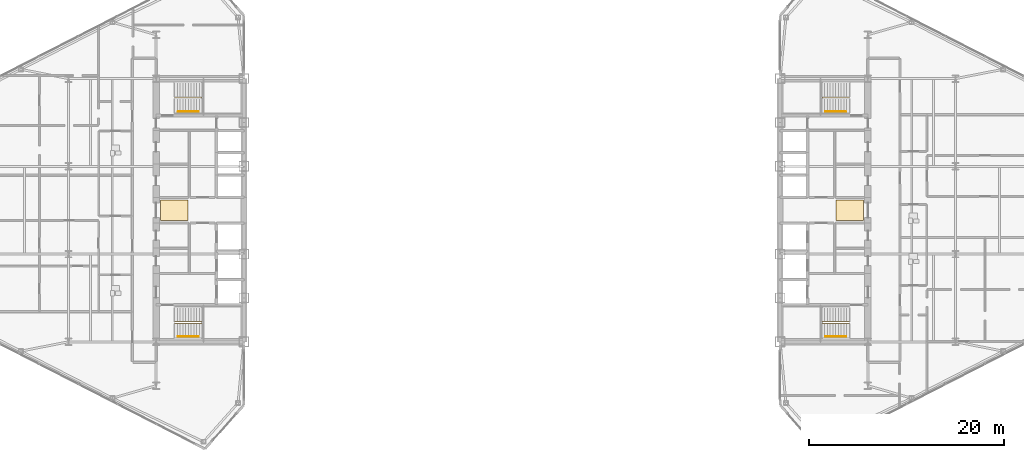
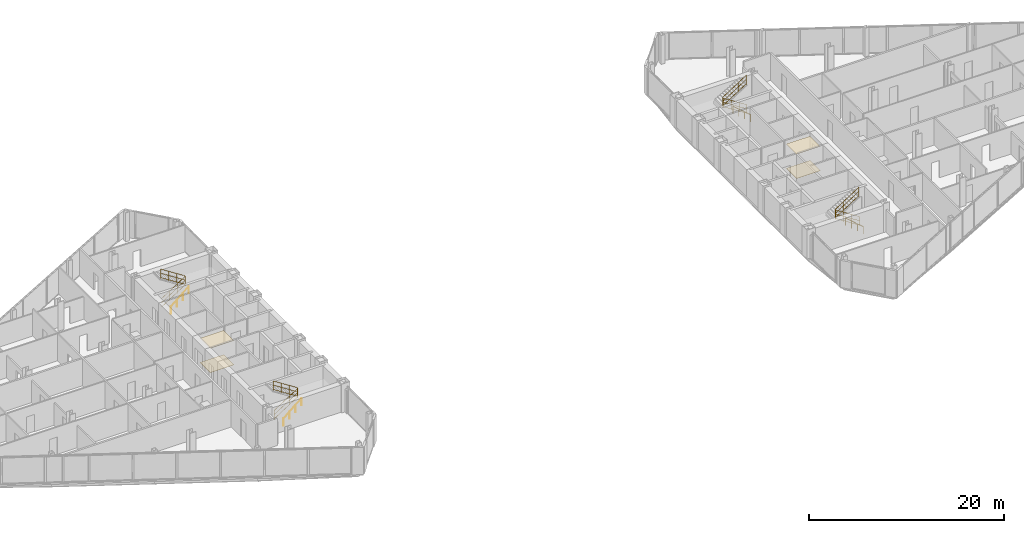
# One storey, part 23 of 24: 8 railings, 4 coverings.
"""IFC4 building model written with IfcOpenShell, lengths in metres."""

from ifc_helpers import new_model, si_unit, direction, frame, origin, origin_2d, place, context, subcontext, project, spatial, polyline, circle, outline, extrude, material, layer, layer_set, type_object, element, save


model = new_model("IFC4")

# Units and contexts
model_context = context("Model", 3, precision=1e-05, world=origin(), true_north=direction((0.0, 1.0)))
body_context = subcontext(model_context, "Body", "Model", "MODEL_VIEW")
ifc_project = project(units=[si_unit("LENGTHUNIT", "METRE"), si_unit("AREAUNIT", "SQUARE_METRE"), si_unit("VOLUMEUNIT", "CUBIC_METRE"), si_unit("PLANEANGLEUNIT", "RADIAN"), si_unit("MASSUNIT", "GRAM", prefix="KILO")], contexts=[model_context])

# Site, building, storey
site_placement = place(None, origin())
site = spatial("IfcSite", under=ifc_project, at=site_placement, CompositionType="ELEMENT")
building_placement = place(site_placement, origin())
building = spatial("IfcBuilding", under=site, at=building_placement, Name="Seokmaru Belvedere", CompositionType="ELEMENT")
storey_placement = place(building_placement, frame((0.0, 0.0, 117.60009765625)))
storey = spatial("IfcBuildingStorey", under=building, at=storey_placement, Name="L31", CompositionType="ELEMENT", Elevation=117.60009765625)

# Coverings
ifc_material_1 = material(Name="Engineered White Oak Timber", Category="wood")
ifc_layer_1 = layer(ifc_material_1, 0.02197265625)
ifc_layer_set_1 = layer_set([ifc_layer_1], Name="Engineered White Oak Timber")
covering_type_1 = type_object("IfcCoveringType", Name="Engineered Oak Residence Floor Finish 22", PredefinedType="FLOORING", material=ifc_layer_set_1)
covering_1_placement = place(storey_placement, origin())
element("IfcCovering", 1, at=covering_1_placement, inside=storey, type_object=covering_type_1, Name="L31 W Foyer Floor Finish", PredefinedType="FLOORING", context=body_context, shape_type="SweptSolid", body=[
    extrude(outline(polyline([(-36.050048828125, -1.050048828125), (-33.25, -1.050048828125), (-33.25, 1.050048828125), (-36.050048828125, 1.050048828125), (-36.050048828125, -1.050048828125)])), origin(), (0.0, 0.0, 1.0), 0.02197265625),
])
covering_2_placement = place(storey_placement, origin())
element("IfcCovering", 2, at=covering_2_placement, inside=storey, type_object=covering_type_1, Name="L31 E Foyer Floor Finish", PredefinedType="FLOORING", context=body_context, shape_type="SweptSolid", body=[
    extrude(outline(polyline([(33.25, -1.050048828125), (36.050048828125, -1.050048828125), (36.050048828125, 1.050048828125), (33.25, 1.050048828125), (33.25, -1.050048828125)])), origin(), (0.0, 0.0, 1.0), 0.02197265625),
])
ifc_material_2 = material(Name="Fire-Rated Gypsum Shaftwall")
ifc_layer_2 = layer(ifc_material_2, 0.02490234375)
ifc_layer_set_2 = layer_set([ifc_layer_2], Name="Fire-Rated Gypsum Shaftwall")
covering_type_2 = type_object("IfcCoveringType", Name="Perforated Acoustic Gypsum Suspended Ceiling 25", PredefinedType="CEILING", material=ifc_layer_set_2)
covering_3_placement = place(storey_placement, frame((0.0, 0.0, 3.02978515625)))
element("IfcCovering", 3, at=covering_3_placement, inside=storey, type_object=covering_type_2, Name="L31 W Lift Foyer Acoustic Ceiling", PredefinedType="CEILING", context=body_context, shape_type="SweptSolid", body=[
    extrude(outline(polyline([(-36.050048828125, -1.050048828125), (-33.25, -1.050048828125), (-33.25, 1.050048828125), (-36.050048828125, 1.050048828125), (-36.050048828125, -1.050048828125)])), origin(), (0.0, 0.0, 1.0), 0.025146484375),
])
covering_4_placement = place(storey_placement, frame((0.0, 0.0, 3.02978515625)))
element("IfcCovering", 4, at=covering_4_placement, inside=storey, type_object=covering_type_2, Name="L31 E Lift Foyer Acoustic Ceiling", PredefinedType="CEILING", context=body_context, shape_type="SweptSolid", body=[
    extrude(outline(polyline([(33.25, -1.050048828125), (36.050048828125, -1.050048828125), (36.050048828125, 1.050048828125), (33.25, 1.050048828125), (33.25, -1.050048828125)])), origin(), (0.0, 0.0, 1.0), 0.025146484375),
])

# Railings
ifc_material_3 = material(Name="Stainless Steel 316", Category="steel")
railing_type_1 = type_object("IfcRailingType", Name="Stainless Steel Wall and Flight Handrail 900", PredefinedType="HANDRAIL", material=ifc_material_3)
for number, where, name in (
    (5, (-34.25, -12.949951171875, 0.0), "L31 Stair ST-W1 Wall Handrail"),
    (6, (-34.25, 10.110107421875, 0.0), "L31 Stair ST-W2 Wall Handrail"),
):
    element("IfcRailing", number, at=place(storey_placement, frame(where)), inside=storey, type_object=railing_type_1, Name=name, PredefinedType="HANDRAIL", context=body_context, shape_type="SweptSolid", body=[
        extrude(circle(Radius=0.02392578125, at=origin_2d()), frame((0.0, 0.0, 0.8759765625), z_axis=(0.759306447245, 0.0, 0.650733216588), x_axis=(0.0, 1.0, 0.0)), (0.0, 0.0, 1.0), 2.765869140625),
        extrude(circle(Radius=0.02099609375, at=origin_2d()), origin(), (0.0, 0.0, 1.0), 0.851806640625),
        extrude(circle(Radius=0.02099609375, at=origin_2d()), frame((0.699951171875, 0.0, 0.599853515625)), (0.0, 0.0, 1.0), 0.851806640625),
        extrude(circle(Radius=0.02099609375, at=origin_2d()), frame((1.400146484375, 0.0, 1.199951171875)), (0.0, 0.0, 1.0), 0.851806640625),
        extrude(circle(Radius=0.02099609375, at=origin_2d()), frame((2.10009765625, 0.0, 1.7998046875)), (0.0, 0.0, 1.0), 0.851806640625),
    ])
for number, where, name in (
    (7, (34.25, -12.949951171875, 0.0), "L31 Stair ST-E1 Wall Handrail"),
    (8, (34.25, 10.110107421875, 0.0), "L31 Stair ST-E2 Wall Handrail"),
):
    element("IfcRailing", number, at=place(storey_placement, frame(where)), inside=storey, type_object=railing_type_1, Name=name, PredefinedType="HANDRAIL", context=body_context, shape_type="SweptSolid", body=[
        extrude(circle(Radius=0.02392578125, at=origin_2d()), frame((0.0, 0.0, 0.8759765625), z_axis=(-0.759306447245, 0.0, 0.650733216588), x_axis=(0.0, -1.0, 0.0)), (0.0, 0.0, 1.0), 2.765869140625),
        extrude(circle(Radius=0.02099609375, at=origin_2d()), origin(), (0.0, 0.0, 1.0), 0.851806640625),
        extrude(circle(Radius=0.02099609375, at=origin_2d()), frame((-0.699951171875, 0.0, 0.599853515625)), (0.0, 0.0, 1.0), 0.851806640625),
        extrude(circle(Radius=0.02099609375, at=origin_2d()), frame((-1.400146484375, 0.0, 1.199951171875)), (0.0, 0.0, 1.0), 0.851806640625),
        extrude(circle(Radius=0.02099609375, at=origin_2d()), frame((-2.10009765625, 0.0, 1.7998046875)), (0.0, 0.0, 1.0), 0.851806640625),
    ])
railing_type_2 = type_object("IfcRailingType", Name="Stair Well and Atrium Steel Guardrail 1200", PredefinedType="GUARDRAIL", material=ifc_material_3)
railing_1_placement = place(storey_placement, frame((-34.60009765625, -11.60009765625, 0.0)))
element("IfcRailing", 9, at=railing_1_placement, inside=storey, type_object=railing_type_2, Name="L31 Stair ST-W1 Inner Well Guardrail", PredefinedType="GUARDRAIL", context=body_context, shape_type="SweptSolid", body=[
    extrude(circle(Radius=0.02392578125, at=origin_2d()), frame((0.0, 0.0, 1.17578125), z_axis=(0.841209454229, 0.0, 0.540709398952), x_axis=(0.0, 1.0, 0.0)), (0.0, 0.0, 1.0), 3.32861328125),
    extrude(circle(Radius=0.02392578125, at=origin_2d()), frame((0.0, 0.0, 0.1201171875), z_axis=(0.841209454229, 0.0, 0.540709398952), x_axis=(0.0, 1.0, 0.0)), (0.0, 0.0, 1.0), 3.32861328125),
    extrude(circle(Radius=0.02392578125, at=origin_2d()), frame((0.0, 0.0, 0.659912109375), z_axis=(0.841209454229, 0.0, 0.540709398952), x_axis=(0.0, 1.0, 0.0)), (0.0, 0.0, 1.0), 3.32861328125),
    extrude(circle(Radius=0.02392578125, at=origin_2d()), frame((2.800048828125, 0.0, 2.9755859375), z_axis=(0.0, 1.0, 0.0), x_axis=(-1.0, 0.0, 0.0)), (0.0, 0.0, 1.0), 0.14013671875),
    extrude(circle(Radius=0.02392578125, at=origin_2d()), frame((2.800048828125, 0.0, 1.919921875), z_axis=(0.0, 1.0, 0.0), x_axis=(-1.0, 0.0, 0.0)), (0.0, 0.0, 1.0), 0.14013671875),
    extrude(circle(Radius=0.02392578125, at=origin_2d()), frame((2.800048828125, 0.0, 2.459716796875), z_axis=(0.0, 1.0, 0.0), x_axis=(-1.0, 0.0, 0.0)), (0.0, 0.0, 1.0), 0.14013671875),
    extrude(circle(Radius=0.02392578125, at=origin_2d()), frame((2.800048828125, 0.14013671875, 2.9755859375), z_axis=(-0.841176092368, 0.0, 0.540761298198), x_axis=(0.0, -1.0, 0.0)), (0.0, 0.0, 1.0), 3.32861328125),
    extrude(circle(Radius=0.02392578125, at=origin_2d()), frame((2.800048828125, 0.14013671875, 1.919921875), z_axis=(-0.841176092368, 0.0, 0.540761298198), x_axis=(0.0, -1.0, 0.0)), (0.0, 0.0, 1.0), 3.32861328125),
    extrude(circle(Radius=0.02392578125, at=origin_2d()), frame((2.800048828125, 0.14013671875, 2.459716796875), z_axis=(-0.841176092368, 0.0, 0.540761298198), x_axis=(0.0, -1.0, 0.0)), (0.0, 0.0, 1.0), 3.32861328125),
    extrude(circle(Radius=0.02099609375, at=origin_2d()), origin(), (0.0, 0.0, 1.0), 1.15185546875),
    extrude(circle(Radius=0.02099609375, at=origin_2d()), frame((0.933349609375, 0.0, 0.599853515625)), (0.0, 0.0, 1.0), 1.15185546875),
    extrude(circle(Radius=0.02099609375, at=origin_2d()), frame((1.86669921875, 0.0, 1.199951171875)), (0.0, 0.0, 1.0), 1.15185546875),
    extrude(circle(Radius=0.02099609375, at=origin_2d()), frame((2.800048828125, 0.0, 1.7998046875)), (0.0, 0.0, 1.0), 1.15185546875),
    extrude(circle(Radius=0.02099609375, at=origin_2d()), frame((2.800048828125, 0.14013671875, 1.7998046875)), (0.0, 0.0, 1.0), 1.15185546875),
    extrude(circle(Radius=0.02099609375, at=origin_2d()), frame((1.86669921875, 0.14013671875, 2.39990234375)), (0.0, 0.0, 1.0), 1.15185546875),
    extrude(circle(Radius=0.02099609375, at=origin_2d()), frame((0.933349609375, 0.14013671875, 2.999755859375)), (0.0, 0.0, 1.0), 1.15185546875),
    extrude(circle(Radius=0.02099609375, at=origin_2d()), frame((0.0, 0.14013671875, 3.599853515625)), (0.0, 0.0, 1.0), 1.15185546875),
])
railing_2_placement = place(storey_placement, frame((-34.60009765625, 11.4599609375, 0.0)))
element("IfcRailing", 10, at=railing_2_placement, inside=storey, type_object=railing_type_2, Name="L31 Stair ST-W2 Inner Well Guardrail", PredefinedType="GUARDRAIL", context=body_context, shape_type="SweptSolid", body=[
    extrude(circle(Radius=0.02392578125, at=origin_2d()), frame((0.0, 0.0, 1.17578125), z_axis=(0.841209454229, 0.0, 0.540709398952), x_axis=(0.0, 1.0, 0.0)), (0.0, 0.0, 1.0), 3.32861328125),
    extrude(circle(Radius=0.02392578125, at=origin_2d()), frame((0.0, 0.0, 0.1201171875), z_axis=(0.841209454229, 0.0, 0.540709398952), x_axis=(0.0, 1.0, 0.0)), (0.0, 0.0, 1.0), 3.32861328125),
    extrude(circle(Radius=0.02392578125, at=origin_2d()), frame((0.0, 0.0, 0.659912109375), z_axis=(0.841209454229, 0.0, 0.540709398952), x_axis=(0.0, 1.0, 0.0)), (0.0, 0.0, 1.0), 3.32861328125),
    extrude(circle(Radius=0.02392578125, at=origin_2d()), frame((2.800048828125, 0.0, 2.9755859375), z_axis=(0.0, 1.0, 0.0), x_axis=(-1.0, 0.0, 0.0)), (0.0, 0.0, 1.0), 0.14013671875),
    extrude(circle(Radius=0.02392578125, at=origin_2d()), frame((2.800048828125, 0.0, 1.919921875), z_axis=(0.0, 1.0, 0.0), x_axis=(-1.0, 0.0, 0.0)), (0.0, 0.0, 1.0), 0.14013671875),
    extrude(circle(Radius=0.02392578125, at=origin_2d()), frame((2.800048828125, 0.0, 2.459716796875), z_axis=(0.0, 1.0, 0.0), x_axis=(-1.0, 0.0, 0.0)), (0.0, 0.0, 1.0), 0.14013671875),
    extrude(circle(Radius=0.02392578125, at=origin_2d()), frame((2.800048828125, 0.14013671875, 2.9755859375), z_axis=(-0.841176092368, 0.0, 0.540761298198), x_axis=(0.0, -1.0, 0.0)), (0.0, 0.0, 1.0), 3.32861328125),
    extrude(circle(Radius=0.02392578125, at=origin_2d()), frame((2.800048828125, 0.14013671875, 1.919921875), z_axis=(-0.841176092368, 0.0, 0.540761298198), x_axis=(0.0, -1.0, 0.0)), (0.0, 0.0, 1.0), 3.32861328125),
    extrude(circle(Radius=0.02392578125, at=origin_2d()), frame((2.800048828125, 0.14013671875, 2.459716796875), z_axis=(-0.841176092368, 0.0, 0.540761298198), x_axis=(0.0, -1.0, 0.0)), (0.0, 0.0, 1.0), 3.32861328125),
    extrude(circle(Radius=0.02099609375, at=origin_2d()), origin(), (0.0, 0.0, 1.0), 1.15185546875),
    extrude(circle(Radius=0.02099609375, at=origin_2d()), frame((0.933349609375, 0.0, 0.599853515625)), (0.0, 0.0, 1.0), 1.15185546875),
    extrude(circle(Radius=0.02099609375, at=origin_2d()), frame((1.86669921875, 0.0, 1.199951171875)), (0.0, 0.0, 1.0), 1.15185546875),
    extrude(circle(Radius=0.02099609375, at=origin_2d()), frame((2.800048828125, 0.0, 1.7998046875)), (0.0, 0.0, 1.0), 1.15185546875),
    extrude(circle(Radius=0.02099609375, at=origin_2d()), frame((2.800048828125, 0.14013671875, 1.7998046875)), (0.0, 0.0, 1.0), 1.15185546875),
    extrude(circle(Radius=0.02099609375, at=origin_2d()), frame((1.86669921875, 0.14013671875, 2.39990234375)), (0.0, 0.0, 1.0), 1.15185546875),
    extrude(circle(Radius=0.02099609375, at=origin_2d()), frame((0.933349609375, 0.14013671875, 2.999755859375)), (0.0, 0.0, 1.0), 1.15185546875),
    extrude(circle(Radius=0.02099609375, at=origin_2d()), frame((0.0, 0.14013671875, 3.599853515625)), (0.0, 0.0, 1.0), 1.15185546875),
])
railing_3_placement = place(storey_placement, frame((34.60009765625, -11.60009765625, 0.0)))
element("IfcRailing", 11, at=railing_3_placement, inside=storey, type_object=railing_type_2, Name="L31 Stair ST-E1 Inner Well Guardrail", PredefinedType="GUARDRAIL", context=body_context, shape_type="SweptSolid", body=[
    extrude(circle(Radius=0.02392578125, at=origin_2d()), frame((0.0, 0.0, 1.17578125), z_axis=(-0.841209454229, 0.0, 0.540709398952), x_axis=(0.0, -1.0, 0.0)), (0.0, 0.0, 1.0), 3.32861328125),
    extrude(circle(Radius=0.02392578125, at=origin_2d()), frame((0.0, 0.0, 0.1201171875), z_axis=(-0.841209454229, 0.0, 0.540709398952), x_axis=(0.0, -1.0, 0.0)), (0.0, 0.0, 1.0), 3.32861328125),
    extrude(circle(Radius=0.02392578125, at=origin_2d()), frame((0.0, 0.0, 0.659912109375), z_axis=(-0.841209454229, 0.0, 0.540709398952), x_axis=(0.0, -1.0, 0.0)), (0.0, 0.0, 1.0), 3.32861328125),
    extrude(circle(Radius=0.02392578125, at=origin_2d()), frame((-2.800048828125, 0.0, 2.9755859375), z_axis=(0.0, 1.0, 0.0), x_axis=(-1.0, 0.0, 0.0)), (0.0, 0.0, 1.0), 0.14013671875),
    extrude(circle(Radius=0.02392578125, at=origin_2d()), frame((-2.800048828125, 0.0, 1.919921875), z_axis=(0.0, 1.0, 0.0), x_axis=(-1.0, 0.0, 0.0)), (0.0, 0.0, 1.0), 0.14013671875),
    extrude(circle(Radius=0.02392578125, at=origin_2d()), frame((-2.800048828125, 0.0, 2.459716796875), z_axis=(0.0, 1.0, 0.0), x_axis=(-1.0, 0.0, 0.0)), (0.0, 0.0, 1.0), 0.14013671875),
    extrude(circle(Radius=0.02392578125, at=origin_2d()), frame((-2.800048828125, 0.14013671875, 2.9755859375), z_axis=(0.841176092368, 0.0, 0.540761298198), x_axis=(0.0, 1.0, 0.0)), (0.0, 0.0, 1.0), 3.32861328125),
    extrude(circle(Radius=0.02392578125, at=origin_2d()), frame((-2.800048828125, 0.14013671875, 1.919921875), z_axis=(0.841176092368, 0.0, 0.540761298198), x_axis=(0.0, 1.0, 0.0)), (0.0, 0.0, 1.0), 3.32861328125),
    extrude(circle(Radius=0.02392578125, at=origin_2d()), frame((-2.800048828125, 0.14013671875, 2.459716796875), z_axis=(0.841176092368, 0.0, 0.540761298198), x_axis=(0.0, 1.0, 0.0)), (0.0, 0.0, 1.0), 3.32861328125),
    extrude(circle(Radius=0.02099609375, at=origin_2d()), origin(), (0.0, 0.0, 1.0), 1.15185546875),
    extrude(circle(Radius=0.02099609375, at=origin_2d()), frame((-0.933349609375, 0.0, 0.599853515625)), (0.0, 0.0, 1.0), 1.15185546875),
    extrude(circle(Radius=0.02099609375, at=origin_2d()), frame((-1.86669921875, 0.0, 1.199951171875)), (0.0, 0.0, 1.0), 1.15185546875),
    extrude(circle(Radius=0.02099609375, at=origin_2d()), frame((-2.800048828125, 0.0, 1.7998046875)), (0.0, 0.0, 1.0), 1.15185546875),
    extrude(circle(Radius=0.02099609375, at=origin_2d()), frame((-2.800048828125, 0.14013671875, 1.7998046875)), (0.0, 0.0, 1.0), 1.15185546875),
    extrude(circle(Radius=0.02099609375, at=origin_2d()), frame((-1.86669921875, 0.14013671875, 2.39990234375)), (0.0, 0.0, 1.0), 1.15185546875),
    extrude(circle(Radius=0.02099609375, at=origin_2d()), frame((-0.933349609375, 0.14013671875, 2.999755859375)), (0.0, 0.0, 1.0), 1.15185546875),
    extrude(circle(Radius=0.02099609375, at=origin_2d()), frame((0.0, 0.14013671875, 3.599853515625)), (0.0, 0.0, 1.0), 1.15185546875),
])
railing_4_placement = place(storey_placement, frame((34.60009765625, 11.4599609375, 0.0)))
element("IfcRailing", 12, at=railing_4_placement, inside=storey, type_object=railing_type_2, Name="L31 Stair ST-E2 Inner Well Guardrail", PredefinedType="GUARDRAIL", context=body_context, shape_type="SweptSolid", body=[
    extrude(circle(Radius=0.02392578125, at=origin_2d()), frame((0.0, 0.0, 1.17578125), z_axis=(-0.841209454229, 0.0, 0.540709398952), x_axis=(0.0, -1.0, 0.0)), (0.0, 0.0, 1.0), 3.32861328125),
    extrude(circle(Radius=0.02392578125, at=origin_2d()), frame((0.0, 0.0, 0.1201171875), z_axis=(-0.841209454229, 0.0, 0.540709398952), x_axis=(0.0, -1.0, 0.0)), (0.0, 0.0, 1.0), 3.32861328125),
    extrude(circle(Radius=0.02392578125, at=origin_2d()), frame((0.0, 0.0, 0.659912109375), z_axis=(-0.841209454229, 0.0, 0.540709398952), x_axis=(0.0, -1.0, 0.0)), (0.0, 0.0, 1.0), 3.32861328125),
    extrude(circle(Radius=0.02392578125, at=origin_2d()), frame((-2.800048828125, 0.0, 2.9755859375), z_axis=(0.0, 1.0, 0.0), x_axis=(-1.0, 0.0, 0.0)), (0.0, 0.0, 1.0), 0.14013671875),
    extrude(circle(Radius=0.02392578125, at=origin_2d()), frame((-2.800048828125, 0.0, 1.919921875), z_axis=(0.0, 1.0, 0.0), x_axis=(-1.0, 0.0, 0.0)), (0.0, 0.0, 1.0), 0.14013671875),
    extrude(circle(Radius=0.02392578125, at=origin_2d()), frame((-2.800048828125, 0.0, 2.459716796875), z_axis=(0.0, 1.0, 0.0), x_axis=(-1.0, 0.0, 0.0)), (0.0, 0.0, 1.0), 0.14013671875),
    extrude(circle(Radius=0.02392578125, at=origin_2d()), frame((-2.800048828125, 0.14013671875, 2.9755859375), z_axis=(0.841176092368, 0.0, 0.540761298198), x_axis=(0.0, 1.0, 0.0)), (0.0, 0.0, 1.0), 3.32861328125),
    extrude(circle(Radius=0.02392578125, at=origin_2d()), frame((-2.800048828125, 0.14013671875, 1.919921875), z_axis=(0.841176092368, 0.0, 0.540761298198), x_axis=(0.0, 1.0, 0.0)), (0.0, 0.0, 1.0), 3.32861328125),
    extrude(circle(Radius=0.02392578125, at=origin_2d()), frame((-2.800048828125, 0.14013671875, 2.459716796875), z_axis=(0.841176092368, 0.0, 0.540761298198), x_axis=(0.0, 1.0, 0.0)), (0.0, 0.0, 1.0), 3.32861328125),
    extrude(circle(Radius=0.02099609375, at=origin_2d()), origin(), (0.0, 0.0, 1.0), 1.15185546875),
    extrude(circle(Radius=0.02099609375, at=origin_2d()), frame((-0.933349609375, 0.0, 0.599853515625)), (0.0, 0.0, 1.0), 1.15185546875),
    extrude(circle(Radius=0.02099609375, at=origin_2d()), frame((-1.86669921875, 0.0, 1.199951171875)), (0.0, 0.0, 1.0), 1.15185546875),
    extrude(circle(Radius=0.02099609375, at=origin_2d()), frame((-2.800048828125, 0.0, 1.7998046875)), (0.0, 0.0, 1.0), 1.15185546875),
    extrude(circle(Radius=0.02099609375, at=origin_2d()), frame((-2.800048828125, 0.14013671875, 1.7998046875)), (0.0, 0.0, 1.0), 1.15185546875),
    extrude(circle(Radius=0.02099609375, at=origin_2d()), frame((-1.86669921875, 0.14013671875, 2.39990234375)), (0.0, 0.0, 1.0), 1.15185546875),
    extrude(circle(Radius=0.02099609375, at=origin_2d()), frame((-0.933349609375, 0.14013671875, 2.999755859375)), (0.0, 0.0, 1.0), 1.15185546875),
    extrude(circle(Radius=0.02099609375, at=origin_2d()), frame((0.0, 0.14013671875, 3.599853515625)), (0.0, 0.0, 1.0), 1.15185546875),
])

save(model, "model.ifc")
